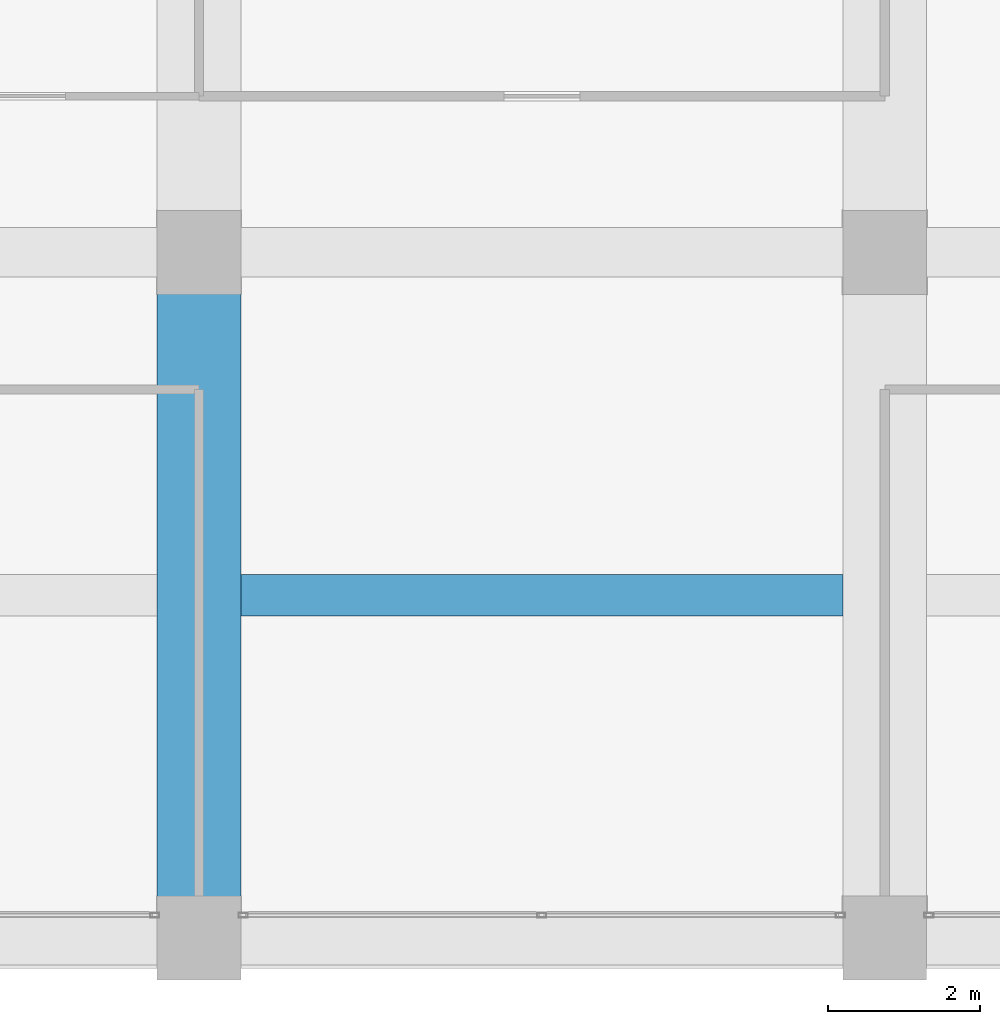
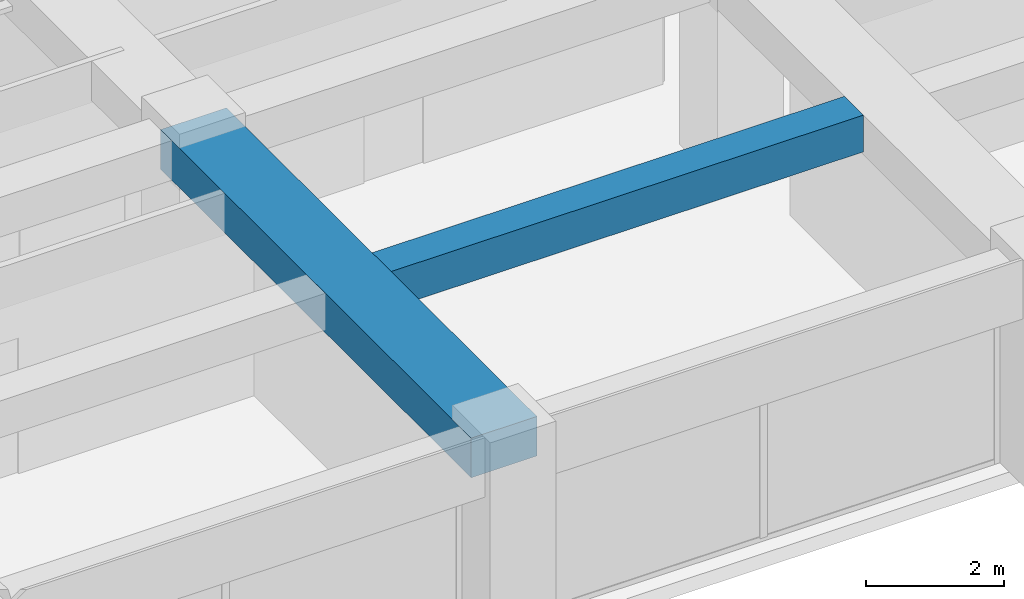
# One storey, part 10 of 44: 2 beams.
"""IFC4 building model written with IfcOpenShell, lengths in metres."""

from ifc_helpers import new_model, si_unit, direction, frame, origin, origin_2d, place, context, subcontext, project, spatial, rectangle, extrude, material, material_profile, profile_set, type_object, element, save


model = new_model("IFC4")

# Units and contexts
model_context = context("Model", 3, precision=1e-05, world=origin(), true_north=direction((0.0, 1.0)))
body_context = subcontext(model_context, "Body", "Model", "MODEL_VIEW")
ifc_project = project(units=[si_unit("LENGTHUNIT", "METRE"), si_unit("AREAUNIT", "SQUARE_METRE"), si_unit("VOLUMEUNIT", "CUBIC_METRE"), si_unit("PLANEANGLEUNIT", "RADIAN"), si_unit("MASSUNIT", "GRAM", prefix="KILO")], contexts=[model_context])

# Site, building, storey
site_placement = place(None, origin())
site = spatial("IfcSite", under=ifc_project, at=site_placement, CompositionType="ELEMENT")
building_placement = place(site_placement, origin())
building = spatial("IfcBuilding", under=site, at=building_placement, Name="Zorevar Civic Tower", CompositionType="ELEMENT")
storey_placement = place(building_placement, frame((0.0, 0.0, 287.39990234375)))
storey = spatial("IfcBuildingStorey", under=building, at=storey_placement, Name="L70", CompositionType="ELEMENT", Elevation=287.39990234375)

# Beams
ifc_material_1 = material(Name="Concrete C50/60", Category="concrete")
ifc_material_profile_1 = material_profile(ifc_material_1, rectangle(XDim=1.10009765625, YDim=0.699951171875, at=origin_2d()), Name="RC 1100x700")
ifc_profile_set_1 = profile_set([ifc_material_profile_1], Name="Concrete C50/60")
beam_type_1 = type_object("IfcBeamType", Name="Beam RC 1100x700", PredefinedType="BEAM", material=ifc_profile_set_1)
beam_1_placement = place(storey_placement, frame((27.0, 0.0, 3.400146484375), z_axis=(0.0, 1.0, 0.0), x_axis=(-1.0, 0.0, 0.0)))
element("IfcBeam", 1, at=beam_1_placement, inside=storey, type_object=beam_type_1, Name="Girder L71", PredefinedType="BEAM", context=body_context, shape_type="SweptSolid", body=[
    extrude(rectangle(XDim=1.10009765625, YDim=0.699951171875, at=origin_2d()), origin(), (0.0, 0.0, 1.0), 9.0),
])
ifc_material_2 = material(Name="Concrete C50/60", Category="concrete")
ifc_material_profile_2 = material_profile(ifc_material_2, rectangle(XDim=0.550048828125, YDim=0.64990234375, at=origin_2d()), Name="RC 550x650")
ifc_profile_set_2 = profile_set([ifc_material_profile_2], Name="Concrete C50/60")
beam_type_2 = type_object("IfcBeamType", Name="Beam RC 550x650", PredefinedType="BEAM", material=ifc_profile_set_2)
beam_2_placement = place(storey_placement, frame((27.550048828125, 4.5, 3.425048828125), z_axis=(1.0, 0.0, 0.0), x_axis=(0.0, 1.0, 0.0)))
element("IfcBeam", 2, at=beam_2_placement, inside=storey, type_object=beam_type_2, Name="Secondary beam L71", PredefinedType="BEAM", context=body_context, shape_type="SweptSolid", body=[
    extrude(rectangle(XDim=0.550048828125, YDim=0.64990234375, at=origin_2d()), origin(), (0.0, 0.0, 1.0), 7.89990234375),
])

save(model, "model.ifc")
